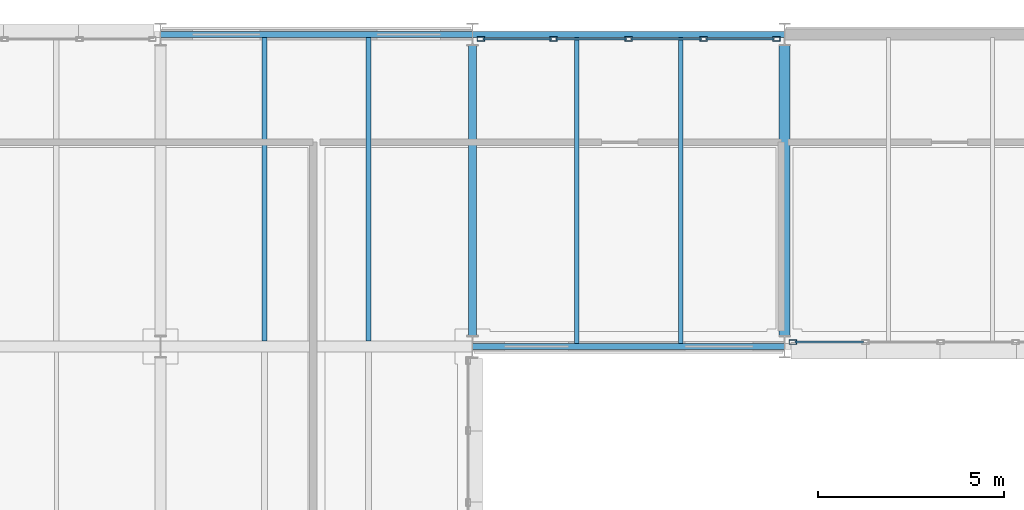
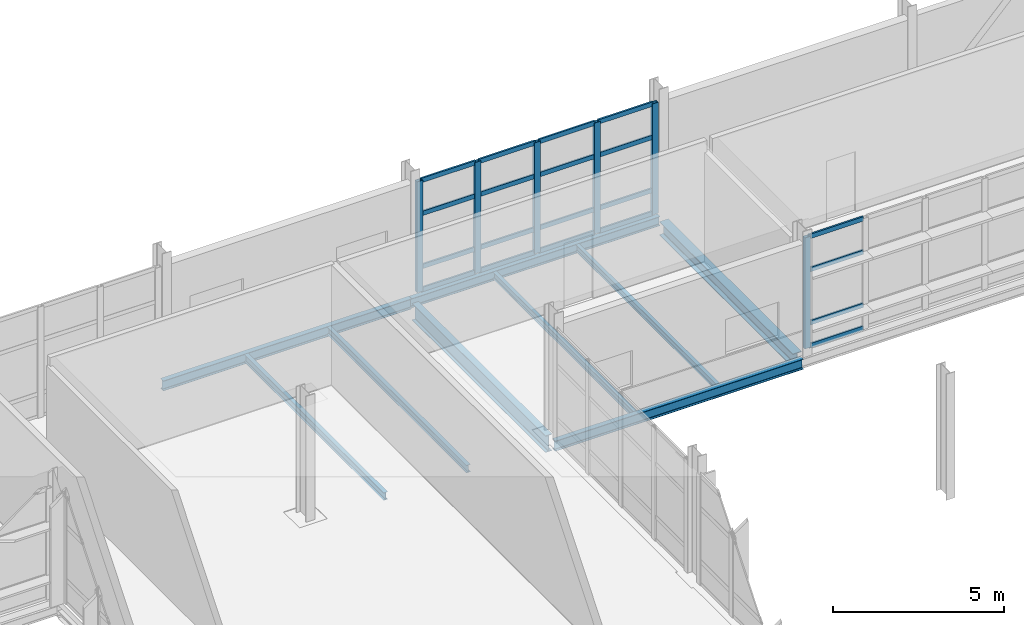
# One storey, part 58 of 129: 26 members, 9 beams, 2 elements without a shape of their own.
"""IFC4 building model written with IfcOpenShell, lengths in metres."""

from ifc_helpers import new_model, si_unit, direction, frame, origin, origin_2d, place, context, subcontext, project, spatial, hollow_rectangle, i_section, extrude, material, material_profile, profile_set, type_object, element, aggregate, save


model = new_model("IFC4")

# Units and contexts
model_context = context("Model", 3, precision=1e-05, world=origin(), true_north=direction((0.0, 1.0)))
body_context = subcontext(model_context, "Body", "Model", "MODEL_VIEW")
ifc_project = project(units=[si_unit("LENGTHUNIT", "METRE"), si_unit("AREAUNIT", "SQUARE_METRE"), si_unit("VOLUMEUNIT", "CUBIC_METRE"), si_unit("PLANEANGLEUNIT", "RADIAN"), si_unit("MASSUNIT", "GRAM", prefix="KILO")], contexts=[model_context])

# Site, building, storey
site_placement = place(None, origin())
site = spatial("IfcSite", under=ifc_project, at=site_placement, CompositionType="ELEMENT")
building_placement = place(site_placement, origin())
building = spatial("IfcBuilding", under=site, at=building_placement, Name="Mersafa Astral City Hall", CompositionType="ELEMENT")
storey_placement = place(building_placement, frame((0.0, 0.0, 5.39990234375)))
storey = spatial("IfcBuildingStorey", under=building, at=storey_placement, Name="L01", CompositionType="ELEMENT", Elevation=5.39990234375)

# Curtain wall, member
ifc_material_1 = material(Name="Anodised bronze aluminium framing", Category="aluminium")
curtain_wall_type_1 = type_object("IfcCurtainWallType", Name="ENV-CW-1", PredefinedType="USERDEFINED", material=ifc_material_1)
curtain_wall_1_placement = place(storey_placement, origin())
curtain_wall_1 = element("IfcCurtainWall", 1, at=curtain_wall_1_placement, inside=storey, type_object=curtain_wall_type_1, Name="L01 Unitised solar curtain wall 60", ObjectType="UNITISED CURTAIN WALL", PredefinedType="USERDEFINED")
ifc_material_profile_1 = material_profile(ifc_material_1, hollow_rectangle(XDim=0.1201171875, YDim=0.199951171875, WallThickness=0.008056640625, at=origin_2d()), Name="RHS 120x200x8")
ifc_profile_set_1 = profile_set([ifc_material_profile_1], Name="Anodised bronze aluminium framing")
member_type_1 = type_object("IfcMemberType", Name="ENV-CW-MUL-2", PredefinedType="MULLION", material=ifc_profile_set_1)
member_1_placement = place(storey_placement, frame((126.221923828125, 117.719970703125, -0.001953125), z_axis=(0.0, 0.0, 1.0), x_axis=(0.0, 1.0, 0.0)))
member_1 = element("IfcMember", 2, at=member_1_placement, type_object=member_type_1, Name="CW-1 mullion 1", PredefinedType="MULLION", context=body_context, shape_type="SweptSolid", body=[
    extrude(hollow_rectangle(XDim=0.1201171875, YDim=0.199951171875, WallThickness=0.008056640625, at=origin_2d()), origin(), (0.0, 0.0, 1.0), 3.968994140625),
])

# Curtain wall, members
curtain_wall_type_2 = type_object("IfcCurtainWallType", Name="ENV-CW-5", PredefinedType="USERDEFINED", material=ifc_material_1)
curtain_wall_2_placement = place(storey_placement, origin())
curtain_wall_2 = element("IfcCurtainWall", 3, at=curtain_wall_2_placement, inside=storey, type_object=curtain_wall_type_2, Name="L01 Unitised solar curtain wall 76", ObjectType="UNITISED CURTAIN WALL", PredefinedType="USERDEFINED")
member_2_placement = place(storey_placement, frame((125.778076171875, 125.8798828125, -0.001953125), z_axis=(0.0, 0.0, 1.0), x_axis=(0.0, -1.0, 0.0)))
member_2 = element("IfcMember", 4, at=member_2_placement, type_object=member_type_1, Name="CW-5 mullion 1", PredefinedType="MULLION", context=body_context, shape_type="SweptSolid", body=[
    extrude(hollow_rectangle(XDim=0.1201171875, YDim=0.199951171875, WallThickness=0.008056640625, at=origin_2d()), origin(), (0.0, 0.0, 1.0), 3.968994140625),
])
member_3_placement = place(storey_placement, frame((123.819091796875, 125.8798828125, -0.001953125), z_axis=(0.0, 0.0, 1.0), x_axis=(0.0, -1.0, 0.0)))
member_3 = element("IfcMember", 5, at=member_3_placement, type_object=member_type_1, Name="CW-5 mullion 2", PredefinedType="MULLION", context=body_context, shape_type="SweptSolid", body=[
    extrude(hollow_rectangle(XDim=0.1201171875, YDim=0.199951171875, WallThickness=0.008056640625, at=origin_2d()), origin(), (0.0, 0.0, 1.0), 3.968994140625),
])
member_4_placement = place(storey_placement, frame((121.800048828125, 125.8798828125, -0.001953125), z_axis=(0.0, 0.0, 1.0), x_axis=(0.0, -1.0, 0.0)))
member_4 = element("IfcMember", 6, at=member_4_placement, type_object=member_type_1, Name="CW-5 mullion 3", PredefinedType="MULLION", context=body_context, shape_type="SweptSolid", body=[
    extrude(hollow_rectangle(XDim=0.1201171875, YDim=0.199951171875, WallThickness=0.008056640625, at=origin_2d()), origin(), (0.0, 0.0, 1.0), 3.968994140625),
])
member_5_placement = place(storey_placement, frame((119.781005859375, 125.8798828125, -0.001953125), z_axis=(0.0, 0.0, 1.0), x_axis=(0.0, -1.0, 0.0)))
member_5 = element("IfcMember", 7, at=member_5_placement, type_object=member_type_1, Name="CW-5 mullion 4", PredefinedType="MULLION", context=body_context, shape_type="SweptSolid", body=[
    extrude(hollow_rectangle(XDim=0.1201171875, YDim=0.199951171875, WallThickness=0.008056640625, at=origin_2d()), origin(), (0.0, 0.0, 1.0), 3.968994140625),
])
member_6_placement = place(storey_placement, frame((117.822021484375, 125.8798828125, -0.001953125), z_axis=(0.0, 0.0, 1.0), x_axis=(0.0, -1.0, 0.0)))
member_6 = element("IfcMember", 8, at=member_6_placement, type_object=member_type_1, Name="CW-5 mullion 5", PredefinedType="MULLION", context=body_context, shape_type="SweptSolid", body=[
    extrude(hollow_rectangle(XDim=0.1201171875, YDim=0.199951171875, WallThickness=0.008056640625, at=origin_2d()), origin(), (0.0, 0.0, 1.0), 3.968994140625),
])

# Member
ifc_material_profile_2 = material_profile(ifc_material_1, hollow_rectangle(XDim=0.06005859375, YDim=0.159912109375, WallThickness=0.00390625, at=origin_2d()), Name="RHS 60x160x4")
ifc_profile_set_2 = profile_set([ifc_material_profile_2], Name="Anodised bronze aluminium framing")
member_type_2 = type_object("IfcMemberType", Name="ENV-CW-TRN-2", PredefinedType="USERDEFINED", material=ifc_profile_set_2)
member_7_placement = place(storey_placement, frame((126.281982421875, 117.719970703125, 0.028076171875), z_axis=(1.0, 0.0, 0.0), x_axis=(0.0, 1.0, 0.0)))
member_7 = element("IfcMember", 9, at=member_7_placement, type_object=member_type_2, Name="CW-1 transom 1.1", ObjectType="TRANSOM", PredefinedType="USERDEFINED", context=body_context, shape_type="SweptSolid", body=[
    extrude(hollow_rectangle(XDim=0.06005859375, YDim=0.159912109375, WallThickness=0.00390625, at=origin_2d()), origin(), (0.0, 0.0, 1.0), 1.839111328125),
])

member_8_placement = place(storey_placement, frame((126.281982421875, 117.719970703125, 0.85009765625), z_axis=(1.0, 0.0, 0.0), x_axis=(0.0, 1.0, 0.0)))
member_8 = element("IfcMember", 10, at=member_8_placement, type_object=member_type_2, Name="CW-1 transom 1.2", ObjectType="TRANSOM", PredefinedType="USERDEFINED", context=body_context, shape_type="SweptSolid", body=[
    extrude(hollow_rectangle(XDim=0.06005859375, YDim=0.159912109375, WallThickness=0.00390625, at=origin_2d()), origin(), (0.0, 0.0, 1.0), 1.839111328125),
])

member_9_placement = place(storey_placement, frame((126.281982421875, 117.719970703125, 2.75), z_axis=(1.0, 0.0, 0.0), x_axis=(0.0, 1.0, 0.0)))
member_9 = element("IfcMember", 11, at=member_9_placement, type_object=member_type_2, Name="CW-1 transom 1.3", ObjectType="TRANSOM", PredefinedType="USERDEFINED", context=body_context, shape_type="SweptSolid", body=[
    extrude(hollow_rectangle(XDim=0.06005859375, YDim=0.159912109375, WallThickness=0.00390625, at=origin_2d()), origin(), (0.0, 0.0, 1.0), 1.839111328125),
])

member_10_placement = place(storey_placement, frame((126.281982421875, 117.719970703125, 3.93701171875), z_axis=(1.0, 0.0, 0.0), x_axis=(0.0, 1.0, 0.0)))
member_10 = element("IfcMember", 12, at=member_10_placement, type_object=member_type_2, Name="CW-1 transom 1.4", ObjectType="TRANSOM", PredefinedType="USERDEFINED", context=body_context, shape_type="SweptSolid", body=[
    extrude(hollow_rectangle(XDim=0.06005859375, YDim=0.159912109375, WallThickness=0.00390625, at=origin_2d()), origin(), (0.0, 0.0, 1.0), 1.839111328125),
])

aggregate(curtain_wall_1, [member_1, member_7, member_8, member_9, member_10])

member_11_placement = place(storey_placement, frame((125.718017578125, 125.8798828125, 0.028076171875), z_axis=(-1.0, 0.0, 0.0), x_axis=(0.0, -1.0, 0.0)))
member_11 = element("IfcMember", 13, at=member_11_placement, type_object=member_type_2, Name="CW-5 transom 1.1", ObjectType="TRANSOM", PredefinedType="USERDEFINED", context=body_context, shape_type="SweptSolid", body=[
    extrude(hollow_rectangle(XDim=0.06005859375, YDim=0.159912109375, WallThickness=0.00390625, at=origin_2d()), origin(), (0.0, 0.0, 1.0), 1.839111328125),
])

member_12_placement = place(storey_placement, frame((125.718017578125, 125.8798828125, 0.85009765625), z_axis=(-1.0, 0.0, 0.0), x_axis=(0.0, -1.0, 0.0)))
member_12 = element("IfcMember", 14, at=member_12_placement, type_object=member_type_2, Name="CW-5 transom 1.2", ObjectType="TRANSOM", PredefinedType="USERDEFINED", context=body_context, shape_type="SweptSolid", body=[
    extrude(hollow_rectangle(XDim=0.06005859375, YDim=0.159912109375, WallThickness=0.00390625, at=origin_2d()), origin(), (0.0, 0.0, 1.0), 1.839111328125),
])

member_13_placement = place(storey_placement, frame((125.718017578125, 125.8798828125, 2.75), z_axis=(-1.0, 0.0, 0.0), x_axis=(0.0, -1.0, 0.0)))
member_13 = element("IfcMember", 15, at=member_13_placement, type_object=member_type_2, Name="CW-5 transom 1.3", ObjectType="TRANSOM", PredefinedType="USERDEFINED", context=body_context, shape_type="SweptSolid", body=[
    extrude(hollow_rectangle(XDim=0.06005859375, YDim=0.159912109375, WallThickness=0.00390625, at=origin_2d()), origin(), (0.0, 0.0, 1.0), 1.839111328125),
])

member_14_placement = place(storey_placement, frame((125.718017578125, 125.8798828125, 3.93701171875), z_axis=(-1.0, 0.0, 0.0), x_axis=(0.0, -1.0, 0.0)))
member_14 = element("IfcMember", 16, at=member_14_placement, type_object=member_type_2, Name="CW-5 transom 1.4", ObjectType="TRANSOM", PredefinedType="USERDEFINED", context=body_context, shape_type="SweptSolid", body=[
    extrude(hollow_rectangle(XDim=0.06005859375, YDim=0.159912109375, WallThickness=0.00390625, at=origin_2d()), origin(), (0.0, 0.0, 1.0), 1.839111328125),
])

member_15_placement = place(storey_placement, frame((123.759033203125, 125.8798828125, 0.028076171875), z_axis=(-1.0, 0.0, 0.0), x_axis=(0.0, -1.0, 0.0)))
member_15 = element("IfcMember", 17, at=member_15_placement, type_object=member_type_2, Name="CW-5 transom 2.1", ObjectType="TRANSOM", PredefinedType="USERDEFINED", context=body_context, shape_type="SweptSolid", body=[
    extrude(hollow_rectangle(XDim=0.06005859375, YDim=0.159912109375, WallThickness=0.00390625, at=origin_2d()), origin(), (0.0, 0.0, 1.0), 1.89892578125),
])

member_16_placement = place(storey_placement, frame((123.759033203125, 125.8798828125, 0.85009765625), z_axis=(-1.0, 0.0, 0.0), x_axis=(0.0, -1.0, 0.0)))
member_16 = element("IfcMember", 18, at=member_16_placement, type_object=member_type_2, Name="CW-5 transom 2.2", ObjectType="TRANSOM", PredefinedType="USERDEFINED", context=body_context, shape_type="SweptSolid", body=[
    extrude(hollow_rectangle(XDim=0.06005859375, YDim=0.159912109375, WallThickness=0.00390625, at=origin_2d()), origin(), (0.0, 0.0, 1.0), 1.89892578125),
])

member_17_placement = place(storey_placement, frame((123.759033203125, 125.8798828125, 2.75), z_axis=(-1.0, 0.0, 0.0), x_axis=(0.0, -1.0, 0.0)))
member_17 = element("IfcMember", 19, at=member_17_placement, type_object=member_type_2, Name="CW-5 transom 2.3", ObjectType="TRANSOM", PredefinedType="USERDEFINED", context=body_context, shape_type="SweptSolid", body=[
    extrude(hollow_rectangle(XDim=0.06005859375, YDim=0.159912109375, WallThickness=0.00390625, at=origin_2d()), origin(), (0.0, 0.0, 1.0), 1.89892578125),
])

member_18_placement = place(storey_placement, frame((123.759033203125, 125.8798828125, 3.93701171875), z_axis=(-1.0, 0.0, 0.0), x_axis=(0.0, -1.0, 0.0)))
member_18 = element("IfcMember", 20, at=member_18_placement, type_object=member_type_2, Name="CW-5 transom 2.4", ObjectType="TRANSOM", PredefinedType="USERDEFINED", context=body_context, shape_type="SweptSolid", body=[
    extrude(hollow_rectangle(XDim=0.06005859375, YDim=0.159912109375, WallThickness=0.00390625, at=origin_2d()), origin(), (0.0, 0.0, 1.0), 1.89892578125),
])

member_19_placement = place(storey_placement, frame((121.739990234375, 125.8798828125, 0.028076171875), z_axis=(-1.0, 0.0, 0.0), x_axis=(0.0, -1.0, 0.0)))
member_19 = element("IfcMember", 21, at=member_19_placement, type_object=member_type_2, Name="CW-5 transom 3.1", ObjectType="TRANSOM", PredefinedType="USERDEFINED", context=body_context, shape_type="SweptSolid", body=[
    extrude(hollow_rectangle(XDim=0.06005859375, YDim=0.159912109375, WallThickness=0.00390625, at=origin_2d()), origin(), (0.0, 0.0, 1.0), 1.89892578125),
])

member_20_placement = place(storey_placement, frame((121.739990234375, 125.8798828125, 0.85009765625), z_axis=(-1.0, 0.0, 0.0), x_axis=(0.0, -1.0, 0.0)))
member_20 = element("IfcMember", 22, at=member_20_placement, type_object=member_type_2, Name="CW-5 transom 3.2", ObjectType="TRANSOM", PredefinedType="USERDEFINED", context=body_context, shape_type="SweptSolid", body=[
    extrude(hollow_rectangle(XDim=0.06005859375, YDim=0.159912109375, WallThickness=0.00390625, at=origin_2d()), origin(), (0.0, 0.0, 1.0), 1.89892578125),
])

member_21_placement = place(storey_placement, frame((121.739990234375, 125.8798828125, 2.75), z_axis=(-1.0, 0.0, 0.0), x_axis=(0.0, -1.0, 0.0)))
member_21 = element("IfcMember", 23, at=member_21_placement, type_object=member_type_2, Name="CW-5 transom 3.3", ObjectType="TRANSOM", PredefinedType="USERDEFINED", context=body_context, shape_type="SweptSolid", body=[
    extrude(hollow_rectangle(XDim=0.06005859375, YDim=0.159912109375, WallThickness=0.00390625, at=origin_2d()), origin(), (0.0, 0.0, 1.0), 1.89892578125),
])

member_22_placement = place(storey_placement, frame((121.739990234375, 125.8798828125, 3.93701171875), z_axis=(-1.0, 0.0, 0.0), x_axis=(0.0, -1.0, 0.0)))
member_22 = element("IfcMember", 24, at=member_22_placement, type_object=member_type_2, Name="CW-5 transom 3.4", ObjectType="TRANSOM", PredefinedType="USERDEFINED", context=body_context, shape_type="SweptSolid", body=[
    extrude(hollow_rectangle(XDim=0.06005859375, YDim=0.159912109375, WallThickness=0.00390625, at=origin_2d()), origin(), (0.0, 0.0, 1.0), 1.89892578125),
])

member_23_placement = place(storey_placement, frame((119.720947265625, 125.8798828125, 0.028076171875), z_axis=(-1.0, 0.0, 0.0), x_axis=(0.0, -1.0, 0.0)))
member_23 = element("IfcMember", 25, at=member_23_placement, type_object=member_type_2, Name="CW-5 transom 4.1", ObjectType="TRANSOM", PredefinedType="USERDEFINED", context=body_context, shape_type="SweptSolid", body=[
    extrude(hollow_rectangle(XDim=0.06005859375, YDim=0.159912109375, WallThickness=0.00390625, at=origin_2d()), origin(), (0.0, 0.0, 1.0), 1.8388671875),
])

member_24_placement = place(storey_placement, frame((119.720947265625, 125.8798828125, 0.85009765625), z_axis=(-1.0, 0.0, 0.0), x_axis=(0.0, -1.0, 0.0)))
member_24 = element("IfcMember", 26, at=member_24_placement, type_object=member_type_2, Name="CW-5 transom 4.2", ObjectType="TRANSOM", PredefinedType="USERDEFINED", context=body_context, shape_type="SweptSolid", body=[
    extrude(hollow_rectangle(XDim=0.06005859375, YDim=0.159912109375, WallThickness=0.00390625, at=origin_2d()), origin(), (0.0, 0.0, 1.0), 1.8388671875),
])

member_25_placement = place(storey_placement, frame((119.720947265625, 125.8798828125, 2.75), z_axis=(-1.0, 0.0, 0.0), x_axis=(0.0, -1.0, 0.0)))
member_25 = element("IfcMember", 27, at=member_25_placement, type_object=member_type_2, Name="CW-5 transom 4.3", ObjectType="TRANSOM", PredefinedType="USERDEFINED", context=body_context, shape_type="SweptSolid", body=[
    extrude(hollow_rectangle(XDim=0.06005859375, YDim=0.159912109375, WallThickness=0.00390625, at=origin_2d()), origin(), (0.0, 0.0, 1.0), 1.8388671875),
])

member_26_placement = place(storey_placement, frame((119.720947265625, 125.8798828125, 3.93701171875), z_axis=(-1.0, 0.0, 0.0), x_axis=(0.0, -1.0, 0.0)))
member_26 = element("IfcMember", 28, at=member_26_placement, type_object=member_type_2, Name="CW-5 transom 4.4", ObjectType="TRANSOM", PredefinedType="USERDEFINED", context=body_context, shape_type="SweptSolid", body=[
    extrude(hollow_rectangle(XDim=0.06005859375, YDim=0.159912109375, WallThickness=0.00390625, at=origin_2d()), origin(), (0.0, 0.0, 1.0), 1.8388671875),
])

aggregate(curtain_wall_2, [member_2, member_3, member_4, member_5, member_6, member_11, member_12, member_13, member_14, member_15, member_16, member_17, member_18, member_19, member_20, member_21, member_22, member_23, member_24, member_25, member_26])

# Beams
ifc_material_2 = material(Name="Steel S355", Category="steel")
ifc_material_profile_3 = material_profile(ifc_material_2, i_section(OverallWidth=0.300048828125, OverallDepth=0.489990234375, WebThickness=0.011962890625, FlangeThickness=0.02294921875, FilletRadius=0.027099609375, at=origin_2d()), Name="HEA 500")
ifc_profile_set_3 = profile_set([ifc_material_profile_3], Name="Steel S355")
beam_type_1 = type_object("IfcBeamType", Name="STR-BM-HEA500", PredefinedType="BEAM", material=ifc_profile_set_3)
beam_1_placement = place(storey_placement, frame((126.0, 117.89501953125, -0.469970703125), z_axis=(0.0, 1.0, 0.0), x_axis=(-1.0, 0.0, 0.0)))
element("IfcBeam", 29, at=beam_1_placement, inside=storey, type_object=beam_type_1, Name="L01 Primary girder Y 15-14", PredefinedType="BEAM", context=body_context, shape_type="SweptSolid", body=[
    extrude(i_section(OverallWidth=0.300048828125, OverallDepth=0.489990234375, WebThickness=0.011962890625, FlangeThickness=0.02294921875, FilletRadius=0.027099609375, at=origin_2d()), origin(), (0.0, 0.0, 1.0), 7.81005859375),
])
ifc_material_profile_4 = material_profile(ifc_material_2, i_section(OverallWidth=0.219970703125, OverallDepth=0.60009765625, WebThickness=0.011962890625, FlangeThickness=0.01904296875, FilletRadius=0.02392578125, at=origin_2d()), Name="IPE 600")
ifc_profile_set_4 = profile_set([ifc_material_profile_4], Name="Steel S355")
beam_type_2 = type_object("IfcBeamType", Name="STR-BM-IPE600", PredefinedType="BEAM", material=ifc_profile_set_4)
beam_2_placement = place(storey_placement, frame((117.60009765625, 117.89501953125, -0.52490234375), z_axis=(0.0, 1.0, 0.0), x_axis=(-1.0, 0.0, 0.0)))
element("IfcBeam", 30, at=beam_2_placement, inside=storey, type_object=beam_type_2, Name="L01 Primary girder Y 14-14", PredefinedType="BEAM", context=body_context, shape_type="SweptSolid", body=[
    extrude(i_section(OverallWidth=0.219970703125, OverallDepth=0.60009765625, WebThickness=0.011962890625, FlangeThickness=0.01904296875, FilletRadius=0.02392578125, at=origin_2d()), origin(), (0.0, 0.0, 1.0), 7.81005859375),
])
ifc_material_profile_5 = material_profile(ifc_material_2, i_section(OverallWidth=0.1201171875, OverallDepth=0.239990234375, WebThickness=0.006103515625, FlangeThickness=0.009765625, FilletRadius=0.014892578125, at=origin_2d()), Name="IPE 240")
ifc_profile_set_5 = profile_set([ifc_material_profile_5], Name="Steel S355")
beam_type_3 = type_object("IfcBeamType", Name="STR-BM-JOIST-IPE240", PredefinedType="JOIST", material=ifc_profile_set_5)
for number, where, z_axis, x_axis, name in (
    (31, (120.39990234375, 117.679931640625, -0.344970703125), (0.0, 1.0, 0.0), (-1.0, 0.0, 0.0), "L01 Composite secondary floor joist 336"),
    (32, (123.199951171875, 117.679931640625, -0.344970703125), (0.0, 1.0, 0.0), (-1.0, 0.0, 0.0), "L01 Composite secondary floor joist 337"),
):
    element("IfcBeam", number, at=place(storey_placement, frame(where, z_axis=z_axis, x_axis=x_axis)), inside=storey, type_object=beam_type_3, Name=name, PredefinedType="JOIST", context=body_context, shape_type="SweptSolid", body=[
        extrude(i_section(OverallWidth=0.1201171875, OverallDepth=0.239990234375, WebThickness=0.006103515625, FlangeThickness=0.009765625, FilletRadius=0.014892578125, at=origin_2d()), origin(), (0.0, 0.0, 1.0), 8.2451171875),
    ])
ifc_material_profile_6 = material_profile(ifc_material_2, i_section(OverallWidth=0.135009765625, OverallDepth=0.27001953125, WebThickness=0.006591796875, FlangeThickness=0.01025390625, FilletRadius=0.014892578125, at=origin_2d()), Name="IPE 270")
ifc_profile_set_6 = profile_set([ifc_material_profile_6], Name="Steel S355")
beam_type_4 = type_object("IfcBeamType", Name="STR-BM-JOIST-IPE270", PredefinedType="JOIST", material=ifc_profile_set_6)
for number, where, z_axis, x_axis, name in (
    (33, (112.0, 117.7451171875, -0.35986328125), (0.0, 1.0, 0.0), (-1.0, 0.0, 0.0), "L01 Composite secondary floor joist 330"),
    (34, (114.800048828125, 117.7451171875, -0.35986328125), (0.0, 1.0, 0.0), (-1.0, 0.0, 0.0), "L01 Composite secondary floor joist 331"),
):
    element("IfcBeam", number, at=place(storey_placement, frame(where, z_axis=z_axis, x_axis=x_axis)), inside=storey, type_object=beam_type_4, Name=name, PredefinedType="JOIST", context=body_context, shape_type="SweptSolid", body=[
        extrude(i_section(OverallWidth=0.135009765625, OverallDepth=0.27001953125, WebThickness=0.006591796875, FlangeThickness=0.01025390625, FilletRadius=0.014892578125, at=origin_2d()), origin(), (0.0, 0.0, 1.0), 8.1748046875),
    ])
ifc_material_profile_7 = material_profile(ifc_material_2, i_section(OverallWidth=0.159912109375, OverallDepth=0.330078125, WebThickness=0.007568359375, FlangeThickness=0.011474609375, FilletRadius=0.01806640625, at=origin_2d()), Name="IPE 330")
ifc_profile_set_7 = profile_set([ifc_material_profile_7], Name="Steel S355")
beam_type_5 = type_object("IfcBeamType", Name="STR-BM-SPANDREL-IPE330", PredefinedType="SPANDREL", material=ifc_profile_set_7)
beam_3_placement = place(storey_placement, frame((117.60302734375, 126.0, -0.389892578125), z_axis=(1.0, 0.0, 0.0), x_axis=(0.0, 1.0, 0.0)))
element("IfcBeam", 35, at=beam_3_placement, inside=storey, type_object=beam_type_5, Name="L01 Primary girder X 14-15", PredefinedType="SPANDREL", context=body_context, shape_type="SweptSolid", body=[
    extrude(i_section(OverallWidth=0.159912109375, OverallDepth=0.330078125, WebThickness=0.007568359375, FlangeThickness=0.011474609375, FilletRadius=0.01806640625, at=origin_2d()), origin(), (0.0, 0.0, 1.0), 8.39404296875),
])
ifc_material_profile_8 = material_profile(ifc_material_2, i_section(OverallWidth=0.169921875, OverallDepth=0.360107421875, WebThickness=0.008056640625, FlangeThickness=0.0126953125, FilletRadius=0.01806640625, at=origin_2d()), Name="IPE 360")
ifc_profile_set_8 = profile_set([ifc_material_profile_8], Name="Steel S355")
beam_type_6 = type_object("IfcBeamType", Name="STR-BM-SPANDREL-IPE360", PredefinedType="SPANDREL", material=ifc_profile_set_8)
for number, where, z_axis, x_axis, name in (
    (36, (117.60302734375, 117.60009765625, -0.40478515625), (1.0, 0.0, 0.0), (0.0, 1.0, 0.0), "L01 Primary girder X 14-14"),
    (37, (109.202880859375, 126.0, -0.40478515625), (1.0, 0.0, 0.0), (0.0, 1.0, 0.0), "L01 Primary girder X 13-15"),
):
    element("IfcBeam", number, at=place(storey_placement, frame(where, z_axis=z_axis, x_axis=x_axis)), inside=storey, type_object=beam_type_6, Name=name, PredefinedType="SPANDREL", context=body_context, shape_type="SweptSolid", body=[
        extrude(i_section(OverallWidth=0.169921875, OverallDepth=0.360107421875, WebThickness=0.008056640625, FlangeThickness=0.0126953125, FilletRadius=0.01806640625, at=origin_2d()), origin(), (0.0, 0.0, 1.0), 8.39404296875),
    ])

save(model, "model.ifc")
